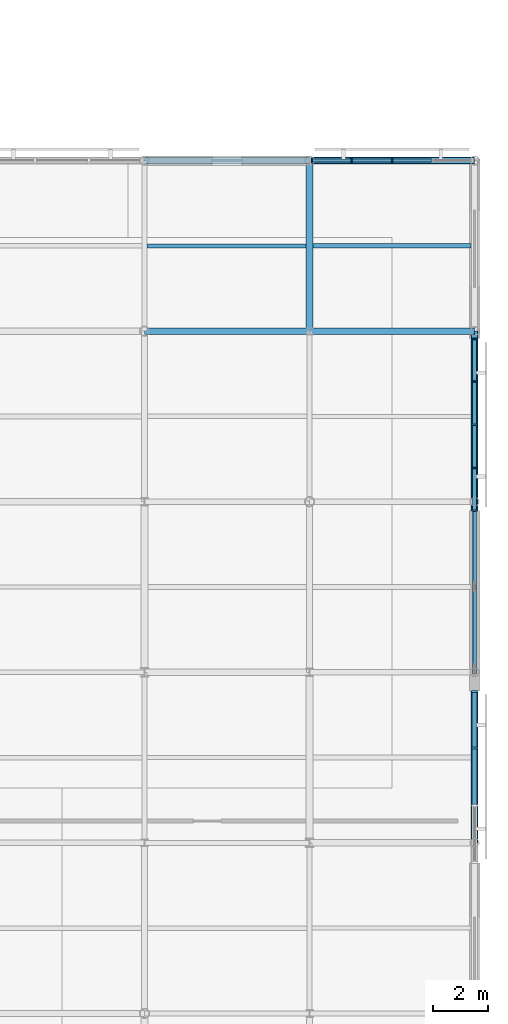
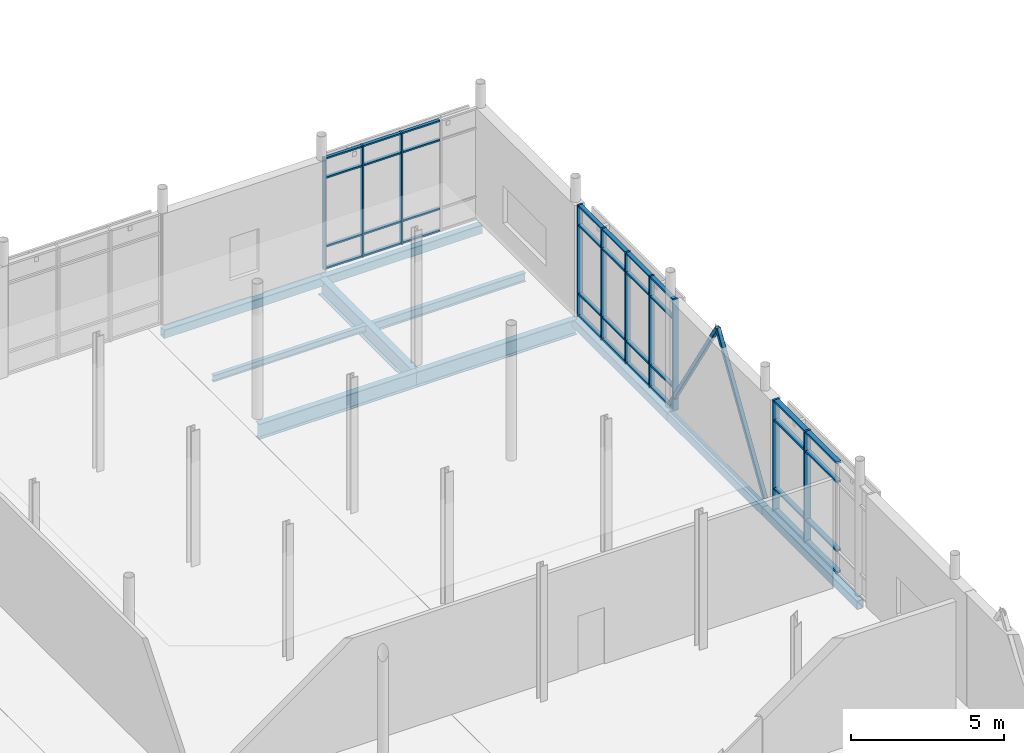
# One storey, part 51 of 105: 48 members, 10 beams, 3 elements without a shape of their own.
"""IFC4 building model written with IfcOpenShell, lengths in metres."""

import ifcopenshell
import ifcopenshell.guid

model = None  # the IFC model being written
_history = None  # IfcOwnerHistory: only IFC2X3 demands one
_inside = {}  # id of a spatial element -> (the spatial element, [elements in it])
_under = {}  # id of a project, library or spatial element -> (it, [spatial elements below it])
_declared = {}  # id of a project -> (the project, [libraries it declares])
_typed = {}  # id of a type object -> (the type object, [elements of that type])
_made_of = {}  # id of a material, layer set ... -> (it, [elements and type objects made of it])


def new_model(schema):
    """Start an empty IFC model of exactly this schema.

    Asked for "IFC4X3", IfcOpenShell would pick the latest addendum, in which some entities
    have other attributes; the version numbers below select the first issue.
    IFC2X3 requires an IfcOwnerHistory on every rooted entity: one is made here for all.
    """
    global model, _history
    if schema == "IFC4X3":
        model = ifcopenshell.file(schema_version=(4, 3, 0, 0))
    else:
        model = ifcopenshell.file(schema=schema)
    _inside.clear()
    _under.clear()
    _declared.clear()
    _typed.clear()
    _made_of.clear()
    _history = None
    if model.schema == "IFC2X3":
        org = make("IfcOrganization", Name="unknown")
        user = make(
            "IfcPersonAndOrganization",
            ThePerson=make("IfcPerson", FamilyName="unknown"),
            TheOrganization=org,
        )
        app = make(
            "IfcApplication",
            ApplicationDeveloper=org,
            Version="unknown",
            ApplicationFullName="unknown",
            ApplicationIdentifier="unknown",
        )
        _history = make(
            "IfcOwnerHistory",
            OwningUser=user,
            OwningApplication=app,
            ChangeAction="ADDED",
            CreationDate=0,
        )
    return model


def make(cls, **values):
    """One entity of the class cls with the attributes given. An attribute that is None is left unset."""
    return model.create_entity(
        cls, **{name: value for name, value in values.items() if value is not None}
    )


def rooted(cls, **values):
    """An entity with a GlobalId (a new one), such as an element, a storey or a relation."""
    return make(cls, GlobalId=ifcopenshell.guid.new(), OwnerHistory=_history, **values)


def si_unit(unit_type, name, prefix=None):
    """IfcSIUnit, for example si_unit("LENGTHUNIT", "METRE", prefix="MILLI")."""
    return make("IfcSIUnit", UnitType=unit_type, Prefix=prefix, Name=name)


def assignment(units):
    """IfcUnitAssignment: the units of a project."""
    return None if units is None else make("IfcUnitAssignment", Units=units)


def point(xyz):
    """IfcCartesianPoint."""
    return None if xyz is None else make("IfcCartesianPoint", Coordinates=xyz)


def direction(xyz):
    """IfcDirection."""
    return None if xyz is None else make("IfcDirection", DirectionRatios=xyz)


def frame(location, z_axis=None, x_axis=None):
    """IfcAxis2Placement3D, a coordinate frame: its origin and axes. An axis left out is left unset."""
    return make(
        "IfcAxis2Placement3D",
        Location=point(location),
        Axis=direction(z_axis),
        RefDirection=direction(x_axis),
    )


def frame_2d(location, x_axis=None):
    """IfcAxis2Placement2D, a coordinate frame in the plane: its origin and x axis."""
    return make(
        "IfcAxis2Placement2D", Location=point(location), RefDirection=direction(x_axis)
    )


def origin():
    """The frame at (0, 0, 0) with its axes left unset."""
    return frame((0.0, 0.0, 0.0))


def origin_2d():
    """The frame at (0, 0) in the plane with its x axis left unset."""
    return frame_2d((0.0, 0.0))


def place(relative_to, where):
    """IfcLocalPlacement: puts the frame where relative to a parent placement (None: the world)."""
    return make(
        "IfcLocalPlacement", PlacementRelTo=relative_to, RelativePlacement=where
    )


def context(
    kind, dimensions, precision=None, world=None, true_north=None, identifier=None
):
    """IfcGeometricRepresentationContext, for example the 3D "Model" context."""
    return make(
        "IfcGeometricRepresentationContext",
        ContextIdentifier=identifier,
        ContextType=kind,
        CoordinateSpaceDimension=dimensions,
        Precision=precision,
        WorldCoordinateSystem=world,
        TrueNorth=true_north,
    )


def subcontext(parent, identifier, kind, view, scale=None):
    """IfcGeometricRepresentationSubContext, for example "Body" below "Model"."""
    return make(
        "IfcGeometricRepresentationSubContext",
        ContextIdentifier=identifier,
        ContextType=kind,
        ParentContext=parent,
        TargetScale=scale,
        TargetView=view,
    )


def project(units=None, contexts=None):
    """IfcProject with its units and contexts."""
    return rooted(
        "IfcProject",
        Name="project",
        RepresentationContexts=contexts,
        UnitsInContext=assignment(units),
    )


def spatial(cls, under=None, at=None, **own):
    """A site, building, storey or space (cls), placed at a placement, below another one or the project."""
    s = rooted(cls, ObjectPlacement=at, **own)
    if under is not None:
        _under.setdefault(under.id(), (under, []))[1].append(s)
    return s


def profile(cls, at=None, kind="AREA", **sizes):
    """A parametric profile (cls). Its sizes go by their IFC names, for example OverallWidth=200.0."""
    return make(cls, ProfileType=kind, Position=at, **sizes)


def rectangle(**sizes):
    """IfcRectangleProfileDef."""
    return profile("IfcRectangleProfileDef", **sizes)


def hollow_rectangle(**sizes):
    """IfcRectangleHollowProfileDef."""
    return profile("IfcRectangleHollowProfileDef", **sizes)


def i_section(**sizes):
    """IfcIShapeProfileDef."""
    return profile("IfcIShapeProfileDef", **sizes)


def extrude(swept, where, along, depth):
    """IfcExtrudedAreaSolid: the profile swept, set in the frame where, extruded along a direction by depth."""
    return make(
        "IfcExtrudedAreaSolid",
        SweptArea=swept,
        Position=where,
        ExtrudedDirection=direction(along),
        Depth=depth,
    )


def shape(context_of_items, identifier, shape_type, items):
    """IfcShapeRepresentation: the items that make up one representation, for example the "Body"."""
    return make(
        "IfcShapeRepresentation",
        ContextOfItems=context_of_items,
        RepresentationIdentifier=identifier,
        RepresentationType=shape_type,
        Items=items,
    )


def material(Name=None, Category=None):
    """IfcMaterial."""
    return make("IfcMaterial", Name=Name, Category=Category)


def layer(
    of_material, thickness, ventilated=None, Name=None, Category=None, Priority=None
):
    """IfcMaterialLayer: one layer of a wall or slab, of a material (None: an air gap)."""
    return make(
        "IfcMaterialLayer",
        Material=of_material,
        LayerThickness=thickness,
        IsVentilated=ventilated,
        Name=Name,
        Category=Category,
        Priority=Priority,
    )


def layer_set(layers, Name=None):
    """IfcMaterialLayerSet."""
    return make("IfcMaterialLayerSet", MaterialLayers=layers, LayerSetName=Name)


def material_profile(
    of_material, cross_section, Name=None, Category=None, Priority=None
):
    """IfcMaterialProfile: a cross section and its material."""
    return make(
        "IfcMaterialProfile",
        Name=Name,
        Material=of_material,
        Profile=cross_section,
        Priority=Priority,
        Category=Category,
    )


def profile_set(profiles, Name=None, composite=None):
    """IfcMaterialProfileSet."""
    return make(
        "IfcMaterialProfileSet",
        Name=Name,
        MaterialProfiles=profiles,
        CompositeProfile=composite,
    )


def made_of(thing, what):
    """Note that an element or type object is made of a material, layer set ...; save() writes the relation."""
    if what is not None:
        _made_of.setdefault(what.id(), (what, []))[1].append(thing)
    return thing


def type_object(cls, material=None, **own):
    """A type object (cls), such as IfcWallType, which elements share."""
    return made_of(rooted(cls, **own), material)


def element(
    cls,
    number,
    at=None,
    inside=None,
    cuts=None,
    type_object=None,
    material=None,
    context=None,
    identifier="Body",
    shape_type=None,
    held_by="IfcProductDefinitionShape",
    body=None,
    shapes=None,
    **own,
):
    """One element of the class cls, such as IfcWall. Its Tag is "e" and its number.

    at: its placement. inside: the storey or other place that contains it. cuts: it is an
    opening in that element (IfcRelVoidsElement). A single representation is given by context,
    identifier, shape_type and body (its items); several are given by shapes. held_by: the class
    of the entity that holds the representations. save() writes the other relations.
    """
    e = rooted(cls, Tag="e%d" % number, ObjectPlacement=at, **own)
    if body is not None:
        shapes = [shape(context, identifier, shape_type, body)]
    if shapes is not None:
        e.Representation = make(held_by, Representations=shapes)
    if inside is not None:
        _inside.setdefault(inside.id(), (inside, []))[1].append(e)
    if cuts is not None:
        rooted(
            "IfcRelVoidsElement", RelatingBuildingElement=cuts, RelatedOpeningElement=e
        )
    if type_object is not None:
        _typed.setdefault(type_object.id(), (type_object, []))[1].append(e)
    return made_of(e, material)


def aggregate(whole, parts):
    """IfcRelAggregates: a whole, such as a stair, and the parts it consists of."""
    return rooted("IfcRelAggregates", RelatingObject=whole, RelatedObjects=parts)


def save(model, path):
    """Write the relations noted so far, then the file.

    IfcRelAggregates (storeys below a building ...), IfcRelContainedInSpatialStructure (elements
    in a storey), IfcRelDefinesByType, IfcRelAssociatesMaterial and IfcRelDeclares: one each for
    every whole, place, type object, material and project.
    """
    for whole, parts in _under.values():
        aggregate(whole, parts)
    for where, things in _inside.values():
        rooted(
            "IfcRelContainedInSpatialStructure",
            RelatedElements=things,
            RelatingStructure=where,
        )
    for kind, things in _typed.values():
        rooted("IfcRelDefinesByType", RelatedObjects=things, RelatingType=kind)
    for what, things in _made_of.values():
        rooted("IfcRelAssociatesMaterial", RelatedObjects=things, RelatingMaterial=what)
    for by, libraries in _declared.values():
        rooted("IfcRelDeclares", RelatingContext=by, RelatedDefinitions=libraries)
    model.write(path)


model = new_model("IFC4")

# Units and contexts
model_context = context("Model", 3, precision=1e-05, world=origin(), true_north=direction((0.0, 1.0)))
body_context = subcontext(model_context, "Body", "Model", "MODEL_VIEW")
ifc_project = project(units=[si_unit("LENGTHUNIT", "METRE"), si_unit("AREAUNIT", "SQUARE_METRE"), si_unit("VOLUMEUNIT", "CUBIC_METRE"), si_unit("PLANEANGLEUNIT", "RADIAN"), si_unit("MASSUNIT", "GRAM", prefix="KILO")], contexts=[model_context])

# Site, building, storey
site_placement = place(None, origin())
site = spatial("IfcSite", under=ifc_project, at=site_placement, CompositionType="ELEMENT")
building_placement = place(site_placement, origin())
building = spatial("IfcBuilding", under=site, at=building_placement, Name="Mirzam Square Science Centre", CompositionType="ELEMENT")
storey_placement = place(building_placement, frame((0.0, 0.0, 5.39990234375)))
storey = spatial("IfcBuildingStorey", under=building, at=storey_placement, Name="L01", CompositionType="ELEMENT", Elevation=5.39990234375)

# Beams
ifc_material_1 = material(Name="Steel S355", Category="steel")
ifc_material_profile_1 = material_profile(ifc_material_1, i_section(OverallWidth=0.22900390625, OverallDepth=0.6123046875, WebThickness=0.011962890625, FlangeThickness=0.01953125, FilletRadius=0.0126953125, at=origin_2d()), Name="610x229x125UB")
ifc_profile_set_1 = profile_set([ifc_material_profile_1], Name="Steel S355")
beam_type_1 = type_object("IfcBeamType", Name="BM-UB610", PredefinedType="BEAM", material=ifc_profile_set_1)
for number, where, z_axis, x_axis, name in (
    (1, (150.0, 80.60009765625, -0.555908203125), (1.0, 0.0, 0.0), (0.0, 1.0, 0.0), "L01 girder X26-14"),
    (2, (156.0, 80.60009765625, -0.555908203125), (1.0, 0.0, 0.0), (0.0, 1.0, 0.0), "L01 girder X27-14"),
):
    element("IfcBeam", number, at=place(storey_placement, frame(where, z_axis=z_axis, x_axis=x_axis)), inside=storey, type_object=beam_type_1, Name=name, PredefinedType="BEAM", context=body_context, shape_type="SweptSolid", body=[
        extrude(i_section(OverallWidth=0.22900390625, OverallDepth=0.6123046875, WebThickness=0.011962890625, FlangeThickness=0.01953125, FilletRadius=0.0126953125, at=origin_2d()), origin(), (0.0, 0.0, 1.0), 6.0),
    ])
ifc_material_profile_2 = material_profile(ifc_material_1, i_section(OverallWidth=0.25439453125, OverallDepth=0.6875, WebThickness=0.01318359375, FlangeThickness=0.02099609375, FilletRadius=0.01513671875, at=origin_2d()), Name="686x254x152UB")
ifc_profile_set_2 = profile_set([ifc_material_profile_2], Name="Steel S355")
beam_type_2 = type_object("IfcBeamType", Name="BM-UB686", PredefinedType="BEAM", material=ifc_profile_set_2)
beam_1_placement = place(storey_placement, frame((156.0, 80.60009765625, -0.593505859375), z_axis=(0.0, 1.0, 0.0), x_axis=(-1.0, 0.0, 0.0)))
element("IfcBeam", 3, at=beam_1_placement, inside=storey, type_object=beam_type_2, Name="L01 girder Y27-14", PredefinedType="BEAM", context=body_context, shape_type="SweptSolid", body=[
    extrude(i_section(OverallWidth=0.25439453125, OverallDepth=0.6875, WebThickness=0.01318359375, FlangeThickness=0.02099609375, FilletRadius=0.01513671875, at=origin_2d()), origin(), (0.0, 0.0, 1.0), 6.199951171875),
])

# Members
ifc_material_profile_3 = material_profile(ifc_material_1, hollow_rectangle(XDim=0.14990234375, YDim=0.14990234375, WallThickness=0.008056640625, InnerFilletRadius=0.008056640625, OuterFilletRadius=0.01611328125, at=origin_2d()), Name="150x150x8.0SHS")
ifc_profile_set_3 = profile_set([ifc_material_profile_3], Name="Steel S355")
member_type_1 = type_object("IfcMemberType", Name="BR-SHS150", PredefinedType="BRACE", material=ifc_profile_set_3)
member_1_placement = place(storey_placement, frame((162.0, 68.199951171875, 0.050048828125), z_axis=(0.0, 0.532707561114, 0.84629938812), x_axis=(-1.0, 0.0, 0.0)))
element("IfcMember", 4, at=member_1_placement, inside=storey, type_object=member_type_1, Name="L01 chevron brace 5A", PredefinedType="BRACE", context=body_context, shape_type="SweptSolid", body=[
    extrude(hollow_rectangle(XDim=0.14990234375, YDim=0.14990234375, WallThickness=0.008056640625, InnerFilletRadius=0.008056640625, OuterFilletRadius=0.01611328125, at=origin_2d()), origin(), (0.0, 0.0, 1.0), 5.819580078125),
])
member_2_placement = place(storey_placement, frame((162.0, 74.39990234375, 0.050048828125), z_axis=(0.0, -0.532677513074, 0.846318301271), x_axis=(1.0, 0.0, 0.0)))
element("IfcMember", 5, at=member_2_placement, inside=storey, type_object=member_type_1, Name="L01 chevron brace 5B", PredefinedType="BRACE", context=body_context, shape_type="SweptSolid", body=[
    extrude(hollow_rectangle(XDim=0.14990234375, YDim=0.14990234375, WallThickness=0.008056640625, InnerFilletRadius=0.008056640625, OuterFilletRadius=0.01611328125, at=origin_2d()), origin(), (0.0, 0.0, 1.0), 5.8193359375),
])

# Curtain wall, members
ifc_material_2 = material(Name="Anodised Aluminium and Low-E Solar Glass", Category="aluminium")
ifc_layer_1 = layer(ifc_material_2, 0.159912109375)
ifc_layer_set_1 = layer_set([ifc_layer_1], Name="CW-COURT-B")
curtain_wall_type_1 = type_object("IfcCurtainWallType", Name="CW-COURT-B", PredefinedType="USERDEFINED", material=ifc_layer_set_1)
curtain_wall_1_placement = place(storey_placement, origin())
curtain_wall_1 = element("IfcCurtainWall", 6, at=curtain_wall_1_placement, inside=storey, type_object=curtain_wall_type_1, Name="L01 unitised curtain wall 87", ObjectType="UNITISED CURTAIN WALL", PredefinedType="USERDEFINED")
ifc_material_3 = material(Name="Anodised Architectural Aluminium 6063-T6", Category="aluminium")
ifc_material_profile_4 = material_profile(ifc_material_3, rectangle(XDim=0.06005859375, YDim=0.159912109375, at=origin_2d()), Name="ALU-MULL-160x60x4")
ifc_profile_set_4 = profile_set([ifc_material_profile_4], Name="Anodised Architectural Aluminium 6063-T6")
member_type_2 = type_object("IfcMemberType", Name="CWM-160", PredefinedType="MULLION", material=ifc_profile_set_4)
member_3_placement = place(storey_placement, frame((159.0, 86.800048828125, 0.0), z_axis=(0.0, 0.0, 1.0), x_axis=(-1.0, 0.0, 0.0)))
member_3 = element("IfcMember", 7, at=member_3_placement, type_object=member_type_2, Name="CW-04 mullion 3", PredefinedType="MULLION", context=body_context, shape_type="SweptSolid", body=[
    extrude(rectangle(XDim=0.06005859375, YDim=0.159912109375, at=origin_2d()), origin(), (0.0, 0.0, 1.0), 4.440185546875),
])
member_4_placement = place(storey_placement, frame((157.527587890625, 86.800048828125, 0.0), z_axis=(0.0, 0.0, 1.0), x_axis=(-1.0, 0.0, 0.0)))
member_4 = element("IfcMember", 8, at=member_4_placement, type_object=member_type_2, Name="CW-04 mullion 4", PredefinedType="MULLION", context=body_context, shape_type="SweptSolid", body=[
    extrude(rectangle(XDim=0.06005859375, YDim=0.159912109375, at=origin_2d()), origin(), (0.0, 0.0, 1.0), 4.440185546875),
])
member_5_placement = place(storey_placement, frame((156.0849609375, 86.800048828125, 0.0), z_axis=(0.0, 0.0, 1.0), x_axis=(-1.0, 0.0, 0.0)))
member_5 = element("IfcMember", 9, at=member_5_placement, type_object=member_type_2, Name="CW-04 mullion 5", PredefinedType="MULLION", context=body_context, shape_type="SweptSolid", body=[
    extrude(rectangle(XDim=0.06005859375, YDim=0.159912109375, at=origin_2d()), origin(), (0.0, 0.0, 1.0), 4.440185546875),
])

ifc_layer_2 = layer(ifc_material_2, 0.179931640625)
ifc_layer_set_2 = layer_set([ifc_layer_2], Name="CW-LINK-A")
curtain_wall_type_2 = type_object("IfcCurtainWallType", Name="CW-LINK-A", PredefinedType="USERDEFINED", material=ifc_layer_set_2)
curtain_wall_2_placement = place(storey_placement, origin())
curtain_wall_2 = element("IfcCurtainWall", 10, at=curtain_wall_2_placement, inside=storey, type_object=curtain_wall_type_2, Name="L01 unitised curtain wall 86", ObjectType="UNITISED CURTAIN WALL", PredefinedType="USERDEFINED")
ifc_material_profile_5 = material_profile(ifc_material_3, rectangle(XDim=0.06494140625, YDim=0.199951171875, at=origin_2d()), Name="ALU-MULL-200x65x5")
ifc_profile_set_5 = profile_set([ifc_material_profile_5], Name="Anodised Architectural Aluminium 6063-T6")
member_type_3 = type_object("IfcMemberType", Name="CWM-200", PredefinedType="MULLION", material=ifc_profile_set_5)
member_6_placement = place(storey_placement, frame((162.0, 74.08740234375, 0.0), z_axis=(0.0, 0.0, 1.0), x_axis=(0.0, 1.0, 0.0)))
member_6 = element("IfcMember", 11, at=member_6_placement, type_object=member_type_3, Name="CW-08 mullion 1", PredefinedType="MULLION", context=body_context, shape_type="SweptSolid", body=[
    extrude(rectangle(XDim=0.06494140625, YDim=0.199951171875, at=origin_2d()), origin(), (0.0, 0.0, 1.0), 4.440185546875),
])
member_7_placement = place(storey_placement, frame((162.0, 75.62744140625, 0.0), z_axis=(0.0, 0.0, 1.0), x_axis=(0.0, 1.0, 0.0)))
member_7 = element("IfcMember", 12, at=member_7_placement, type_object=member_type_3, Name="CW-08 mullion 2", PredefinedType="MULLION", context=body_context, shape_type="SweptSolid", body=[
    extrude(rectangle(XDim=0.06494140625, YDim=0.199951171875, at=origin_2d()), origin(), (0.0, 0.0, 1.0), 4.440185546875),
])
member_8_placement = place(storey_placement, frame((162.0, 77.199951171875, 0.0), z_axis=(0.0, 0.0, 1.0), x_axis=(0.0, 1.0, 0.0)))
member_8 = element("IfcMember", 13, at=member_8_placement, type_object=member_type_3, Name="CW-08 mullion 3", PredefinedType="MULLION", context=body_context, shape_type="SweptSolid", body=[
    extrude(rectangle(XDim=0.06494140625, YDim=0.199951171875, at=origin_2d()), origin(), (0.0, 0.0, 1.0), 4.440185546875),
])
member_9_placement = place(storey_placement, frame((162.0, 78.7724609375, 0.0), z_axis=(0.0, 0.0, 1.0), x_axis=(0.0, 1.0, 0.0)))
member_9 = element("IfcMember", 14, at=member_9_placement, type_object=member_type_3, Name="CW-08 mullion 4", PredefinedType="MULLION", context=body_context, shape_type="SweptSolid", body=[
    extrude(rectangle(XDim=0.06494140625, YDim=0.199951171875, at=origin_2d()), origin(), (0.0, 0.0, 1.0), 4.440185546875),
])
member_10_placement = place(storey_placement, frame((162.0, 80.3125, 0.0), z_axis=(0.0, 0.0, 1.0), x_axis=(0.0, 1.0, 0.0)))
member_10 = element("IfcMember", 15, at=member_10_placement, type_object=member_type_3, Name="CW-08 mullion 5", PredefinedType="MULLION", context=body_context, shape_type="SweptSolid", body=[
    extrude(rectangle(XDim=0.06494140625, YDim=0.199951171875, at=origin_2d()), origin(), (0.0, 0.0, 1.0), 4.440185546875),
])

ifc_layer_3 = layer(ifc_material_2, 0.239990234375)
ifc_layer_set_3 = layer_set([ifc_layer_3], Name="CW-EAST-B")
curtain_wall_type_3 = type_object("IfcCurtainWallType", Name="CW-EAST-B", PredefinedType="USERDEFINED", material=ifc_layer_set_3)
curtain_wall_3_placement = place(storey_placement, origin())
curtain_wall_3 = element("IfcCurtainWall", 16, at=curtain_wall_3_placement, inside=storey, type_object=curtain_wall_type_3, Name="L01 unitised curtain wall 85", ObjectType="UNITISED CURTAIN WALL", PredefinedType="USERDEFINED")
ifc_material_profile_6 = material_profile(ifc_material_3, rectangle(XDim=0.074951171875, YDim=0.239990234375, at=origin_2d()), Name="ALU-MULL-240x75x5")
ifc_profile_set_6 = profile_set([ifc_material_profile_6], Name="Anodised Architectural Aluminium 6063-T6")
member_type_4 = type_object("IfcMemberType", Name="CWM-240", PredefinedType="MULLION", material=ifc_profile_set_6)
member_11_placement = place(storey_placement, frame((162.0, 65.4482421875, 0.0), z_axis=(0.0, 0.0, 1.0), x_axis=(0.0, 1.0, 0.0)))
member_11 = element("IfcMember", 17, at=member_11_placement, type_object=member_type_4, Name="CW-06 mullion 3", PredefinedType="MULLION", context=body_context, shape_type="SweptSolid", body=[
    extrude(rectangle(XDim=0.074951171875, YDim=0.239990234375, at=origin_2d()), origin(), (0.0, 0.0, 1.0), 4.440185546875),
])
member_12_placement = place(storey_placement, frame((162.0, 67.507568359375, 0.0), z_axis=(0.0, 0.0, 1.0), x_axis=(0.0, 1.0, 0.0)))
member_12 = element("IfcMember", 18, at=member_12_placement, type_object=member_type_4, Name="CW-06 mullion 4", PredefinedType="MULLION", context=body_context, shape_type="SweptSolid", body=[
    extrude(rectangle(XDim=0.074951171875, YDim=0.239990234375, at=origin_2d()), origin(), (0.0, 0.0, 1.0), 4.440185546875),
])

# Member
ifc_material_profile_7 = material_profile(ifc_material_3, rectangle(XDim=0.1201171875, YDim=0.06005859375, at=origin_2d()), Name="ALU-TRAN-120x60x4")
ifc_profile_set_7 = profile_set([ifc_material_profile_7], Name="Anodised Architectural Aluminium 6063-T6")
member_type_5 = type_object("IfcMemberType", Name="CWT-120", PredefinedType="USERDEFINED", material=ifc_profile_set_7)
member_13_placement = place(storey_placement, frame((160.4423828125, 86.800048828125, 0.030029296875), z_axis=(-1.0, 0.0, 0.0), x_axis=(0.0, -1.0, 0.0)))
member_13 = element("IfcMember", 19, at=member_13_placement, type_object=member_type_5, Name="CW-04 transom 2.1", ObjectType="TRANSOM", PredefinedType="USERDEFINED", context=body_context, shape_type="SweptSolid", body=[
    extrude(rectangle(XDim=0.1201171875, YDim=0.06005859375, at=origin_2d()), origin(), (0.0, 0.0, 1.0), 1.412353515625),
])

member_14_placement = place(storey_placement, frame((160.4423828125, 86.800048828125, 0.900146484375), z_axis=(-1.0, 0.0, 0.0), x_axis=(0.0, -1.0, 0.0)))
member_14 = element("IfcMember", 20, at=member_14_placement, type_object=member_type_5, Name="CW-04 transom 2.2", ObjectType="TRANSOM", PredefinedType="USERDEFINED", context=body_context, shape_type="SweptSolid", body=[
    extrude(rectangle(XDim=0.1201171875, YDim=0.06005859375, at=origin_2d()), origin(), (0.0, 0.0, 1.0), 1.412353515625),
])

member_15_placement = place(storey_placement, frame((160.4423828125, 86.800048828125, 3.64013671875), z_axis=(-1.0, 0.0, 0.0), x_axis=(0.0, -1.0, 0.0)))
member_15 = element("IfcMember", 21, at=member_15_placement, type_object=member_type_5, Name="CW-04 transom 2.3", ObjectType="TRANSOM", PredefinedType="USERDEFINED", context=body_context, shape_type="SweptSolid", body=[
    extrude(rectangle(XDim=0.1201171875, YDim=0.06005859375, at=origin_2d()), origin(), (0.0, 0.0, 1.0), 1.412353515625),
])

member_16_placement = place(storey_placement, frame((160.4423828125, 86.800048828125, 4.41015625), z_axis=(-1.0, 0.0, 0.0), x_axis=(0.0, -1.0, 0.0)))
member_16 = element("IfcMember", 22, at=member_16_placement, type_object=member_type_5, Name="CW-04 transom 2.4", ObjectType="TRANSOM", PredefinedType="USERDEFINED", context=body_context, shape_type="SweptSolid", body=[
    extrude(rectangle(XDim=0.1201171875, YDim=0.06005859375, at=origin_2d()), origin(), (0.0, 0.0, 1.0), 1.412353515625),
])

member_17_placement = place(storey_placement, frame((158.969970703125, 86.800048828125, 0.030029296875), z_axis=(-1.0, 0.0, 0.0), x_axis=(0.0, -1.0, 0.0)))
member_17 = element("IfcMember", 23, at=member_17_placement, type_object=member_type_5, Name="CW-04 transom 3.1", ObjectType="TRANSOM", PredefinedType="USERDEFINED", context=body_context, shape_type="SweptSolid", body=[
    extrude(rectangle(XDim=0.1201171875, YDim=0.06005859375, at=origin_2d()), origin(), (0.0, 0.0, 1.0), 1.412353515625),
])

member_18_placement = place(storey_placement, frame((158.969970703125, 86.800048828125, 0.900146484375), z_axis=(-1.0, 0.0, 0.0), x_axis=(0.0, -1.0, 0.0)))
member_18 = element("IfcMember", 24, at=member_18_placement, type_object=member_type_5, Name="CW-04 transom 3.2", ObjectType="TRANSOM", PredefinedType="USERDEFINED", context=body_context, shape_type="SweptSolid", body=[
    extrude(rectangle(XDim=0.1201171875, YDim=0.06005859375, at=origin_2d()), origin(), (0.0, 0.0, 1.0), 1.412353515625),
])

member_19_placement = place(storey_placement, frame((158.969970703125, 86.800048828125, 3.64013671875), z_axis=(-1.0, 0.0, 0.0), x_axis=(0.0, -1.0, 0.0)))
member_19 = element("IfcMember", 25, at=member_19_placement, type_object=member_type_5, Name="CW-04 transom 3.3", ObjectType="TRANSOM", PredefinedType="USERDEFINED", context=body_context, shape_type="SweptSolid", body=[
    extrude(rectangle(XDim=0.1201171875, YDim=0.06005859375, at=origin_2d()), origin(), (0.0, 0.0, 1.0), 1.412353515625),
])

member_20_placement = place(storey_placement, frame((158.969970703125, 86.800048828125, 4.41015625), z_axis=(-1.0, 0.0, 0.0), x_axis=(0.0, -1.0, 0.0)))
member_20 = element("IfcMember", 26, at=member_20_placement, type_object=member_type_5, Name="CW-04 transom 3.4", ObjectType="TRANSOM", PredefinedType="USERDEFINED", context=body_context, shape_type="SweptSolid", body=[
    extrude(rectangle(XDim=0.1201171875, YDim=0.06005859375, at=origin_2d()), origin(), (0.0, 0.0, 1.0), 1.412353515625),
])

member_21_placement = place(storey_placement, frame((157.49755859375, 86.800048828125, 0.030029296875), z_axis=(-1.0, 0.0, 0.0), x_axis=(0.0, -1.0, 0.0)))
member_21 = element("IfcMember", 27, at=member_21_placement, type_object=member_type_5, Name="CW-04 transom 4.1", ObjectType="TRANSOM", PredefinedType="USERDEFINED", context=body_context, shape_type="SweptSolid", body=[
    extrude(rectangle(XDim=0.1201171875, YDim=0.06005859375, at=origin_2d()), origin(), (0.0, 0.0, 1.0), 1.382568359375),
])

member_22_placement = place(storey_placement, frame((157.49755859375, 86.800048828125, 0.900146484375), z_axis=(-1.0, 0.0, 0.0), x_axis=(0.0, -1.0, 0.0)))
member_22 = element("IfcMember", 28, at=member_22_placement, type_object=member_type_5, Name="CW-04 transom 4.2", ObjectType="TRANSOM", PredefinedType="USERDEFINED", context=body_context, shape_type="SweptSolid", body=[
    extrude(rectangle(XDim=0.1201171875, YDim=0.06005859375, at=origin_2d()), origin(), (0.0, 0.0, 1.0), 1.382568359375),
])

member_23_placement = place(storey_placement, frame((157.49755859375, 86.800048828125, 3.64013671875), z_axis=(-1.0, 0.0, 0.0), x_axis=(0.0, -1.0, 0.0)))
member_23 = element("IfcMember", 29, at=member_23_placement, type_object=member_type_5, Name="CW-04 transom 4.3", ObjectType="TRANSOM", PredefinedType="USERDEFINED", context=body_context, shape_type="SweptSolid", body=[
    extrude(rectangle(XDim=0.1201171875, YDim=0.06005859375, at=origin_2d()), origin(), (0.0, 0.0, 1.0), 1.382568359375),
])

member_24_placement = place(storey_placement, frame((157.49755859375, 86.800048828125, 4.41015625), z_axis=(-1.0, 0.0, 0.0), x_axis=(0.0, -1.0, 0.0)))
member_24 = element("IfcMember", 30, at=member_24_placement, type_object=member_type_5, Name="CW-04 transom 4.4", ObjectType="TRANSOM", PredefinedType="USERDEFINED", context=body_context, shape_type="SweptSolid", body=[
    extrude(rectangle(XDim=0.1201171875, YDim=0.06005859375, at=origin_2d()), origin(), (0.0, 0.0, 1.0), 1.382568359375),
])

aggregate(curtain_wall_1, [member_3, member_4, member_5, member_13, member_14, member_15, member_16, member_17, member_18, member_19, member_20, member_21, member_22, member_23, member_24])

ifc_material_profile_8 = material_profile(ifc_material_3, rectangle(XDim=0.14990234375, YDim=0.06494140625, at=origin_2d()), Name="ALU-TRAN-150x65x4")
ifc_profile_set_8 = profile_set([ifc_material_profile_8], Name="Anodised Architectural Aluminium 6063-T6")
member_type_6 = type_object("IfcMemberType", Name="CWT-150", PredefinedType="USERDEFINED", material=ifc_profile_set_8)
member_25_placement = place(storey_placement, frame((162.0, 74.1201171875, 0.03271484375), z_axis=(0.0, 1.0, 0.0), x_axis=(-1.0, 0.0, 0.0)))
member_25 = element("IfcMember", 31, at=member_25_placement, type_object=member_type_6, Name="CW-08 transom 1.1", ObjectType="TRANSOM", PredefinedType="USERDEFINED", context=body_context, shape_type="SweptSolid", body=[
    extrude(rectangle(XDim=0.14990234375, YDim=0.06494140625, at=origin_2d()), origin(), (0.0, 0.0, 1.0), 1.474853515625),
])

member_26_placement = place(storey_placement, frame((162.0, 74.1201171875, 0.900146484375), z_axis=(0.0, 1.0, 0.0), x_axis=(-1.0, 0.0, 0.0)))
member_26 = element("IfcMember", 32, at=member_26_placement, type_object=member_type_6, Name="CW-08 transom 1.2", ObjectType="TRANSOM", PredefinedType="USERDEFINED", context=body_context, shape_type="SweptSolid", body=[
    extrude(rectangle(XDim=0.14990234375, YDim=0.06494140625, at=origin_2d()), origin(), (0.0, 0.0, 1.0), 1.474853515625),
])

member_27_placement = place(storey_placement, frame((162.0, 74.1201171875, 3.64013671875), z_axis=(0.0, 1.0, 0.0), x_axis=(-1.0, 0.0, 0.0)))
member_27 = element("IfcMember", 33, at=member_27_placement, type_object=member_type_6, Name="CW-08 transom 1.3", ObjectType="TRANSOM", PredefinedType="USERDEFINED", context=body_context, shape_type="SweptSolid", body=[
    extrude(rectangle(XDim=0.14990234375, YDim=0.06494140625, at=origin_2d()), origin(), (0.0, 0.0, 1.0), 1.474853515625),
])

member_28_placement = place(storey_placement, frame((162.0, 74.1201171875, 4.40771484375), z_axis=(0.0, 1.0, 0.0), x_axis=(-1.0, 0.0, 0.0)))
member_28 = element("IfcMember", 34, at=member_28_placement, type_object=member_type_6, Name="CW-08 transom 1.4", ObjectType="TRANSOM", PredefinedType="USERDEFINED", context=body_context, shape_type="SweptSolid", body=[
    extrude(rectangle(XDim=0.14990234375, YDim=0.06494140625, at=origin_2d()), origin(), (0.0, 0.0, 1.0), 1.474853515625),
])

member_29_placement = place(storey_placement, frame((162.0, 75.659912109375, 0.03271484375), z_axis=(0.0, 1.0, 0.0), x_axis=(-1.0, 0.0, 0.0)))
member_29 = element("IfcMember", 35, at=member_29_placement, type_object=member_type_6, Name="CW-08 transom 2.1", ObjectType="TRANSOM", PredefinedType="USERDEFINED", context=body_context, shape_type="SweptSolid", body=[
    extrude(rectangle(XDim=0.14990234375, YDim=0.06494140625, at=origin_2d()), origin(), (0.0, 0.0, 1.0), 1.507568359375),
])

member_30_placement = place(storey_placement, frame((162.0, 75.659912109375, 0.900146484375), z_axis=(0.0, 1.0, 0.0), x_axis=(-1.0, 0.0, 0.0)))
member_30 = element("IfcMember", 36, at=member_30_placement, type_object=member_type_6, Name="CW-08 transom 2.2", ObjectType="TRANSOM", PredefinedType="USERDEFINED", context=body_context, shape_type="SweptSolid", body=[
    extrude(rectangle(XDim=0.14990234375, YDim=0.06494140625, at=origin_2d()), origin(), (0.0, 0.0, 1.0), 1.507568359375),
])

member_31_placement = place(storey_placement, frame((162.0, 75.659912109375, 3.64013671875), z_axis=(0.0, 1.0, 0.0), x_axis=(-1.0, 0.0, 0.0)))
member_31 = element("IfcMember", 37, at=member_31_placement, type_object=member_type_6, Name="CW-08 transom 2.3", ObjectType="TRANSOM", PredefinedType="USERDEFINED", context=body_context, shape_type="SweptSolid", body=[
    extrude(rectangle(XDim=0.14990234375, YDim=0.06494140625, at=origin_2d()), origin(), (0.0, 0.0, 1.0), 1.507568359375),
])

member_32_placement = place(storey_placement, frame((162.0, 75.659912109375, 4.40771484375), z_axis=(0.0, 1.0, 0.0), x_axis=(-1.0, 0.0, 0.0)))
member_32 = element("IfcMember", 38, at=member_32_placement, type_object=member_type_6, Name="CW-08 transom 2.4", ObjectType="TRANSOM", PredefinedType="USERDEFINED", context=body_context, shape_type="SweptSolid", body=[
    extrude(rectangle(XDim=0.14990234375, YDim=0.06494140625, at=origin_2d()), origin(), (0.0, 0.0, 1.0), 1.507568359375),
])

member_33_placement = place(storey_placement, frame((162.0, 77.232421875, 0.03271484375), z_axis=(0.0, 1.0, 0.0), x_axis=(-1.0, 0.0, 0.0)))
member_33 = element("IfcMember", 39, at=member_33_placement, type_object=member_type_6, Name="CW-08 transom 3.1", ObjectType="TRANSOM", PredefinedType="USERDEFINED", context=body_context, shape_type="SweptSolid", body=[
    extrude(rectangle(XDim=0.14990234375, YDim=0.06494140625, at=origin_2d()), origin(), (0.0, 0.0, 1.0), 1.507568359375),
])

member_34_placement = place(storey_placement, frame((162.0, 77.232421875, 0.900146484375), z_axis=(0.0, 1.0, 0.0), x_axis=(-1.0, 0.0, 0.0)))
member_34 = element("IfcMember", 40, at=member_34_placement, type_object=member_type_6, Name="CW-08 transom 3.2", ObjectType="TRANSOM", PredefinedType="USERDEFINED", context=body_context, shape_type="SweptSolid", body=[
    extrude(rectangle(XDim=0.14990234375, YDim=0.06494140625, at=origin_2d()), origin(), (0.0, 0.0, 1.0), 1.507568359375),
])

member_35_placement = place(storey_placement, frame((162.0, 77.232421875, 3.64013671875), z_axis=(0.0, 1.0, 0.0), x_axis=(-1.0, 0.0, 0.0)))
member_35 = element("IfcMember", 41, at=member_35_placement, type_object=member_type_6, Name="CW-08 transom 3.3", ObjectType="TRANSOM", PredefinedType="USERDEFINED", context=body_context, shape_type="SweptSolid", body=[
    extrude(rectangle(XDim=0.14990234375, YDim=0.06494140625, at=origin_2d()), origin(), (0.0, 0.0, 1.0), 1.507568359375),
])

member_36_placement = place(storey_placement, frame((162.0, 77.232421875, 4.40771484375), z_axis=(0.0, 1.0, 0.0), x_axis=(-1.0, 0.0, 0.0)))
member_36 = element("IfcMember", 42, at=member_36_placement, type_object=member_type_6, Name="CW-08 transom 3.4", ObjectType="TRANSOM", PredefinedType="USERDEFINED", context=body_context, shape_type="SweptSolid", body=[
    extrude(rectangle(XDim=0.14990234375, YDim=0.06494140625, at=origin_2d()), origin(), (0.0, 0.0, 1.0), 1.507568359375),
])

member_37_placement = place(storey_placement, frame((162.0, 78.804931640625, 0.03271484375), z_axis=(0.0, 1.0, 0.0), x_axis=(-1.0, 0.0, 0.0)))
member_37 = element("IfcMember", 43, at=member_37_placement, type_object=member_type_6, Name="CW-08 transom 4.1", ObjectType="TRANSOM", PredefinedType="USERDEFINED", context=body_context, shape_type="SweptSolid", body=[
    extrude(rectangle(XDim=0.14990234375, YDim=0.06494140625, at=origin_2d()), origin(), (0.0, 0.0, 1.0), 1.47509765625),
])

member_38_placement = place(storey_placement, frame((162.0, 78.804931640625, 0.900146484375), z_axis=(0.0, 1.0, 0.0), x_axis=(-1.0, 0.0, 0.0)))
member_38 = element("IfcMember", 44, at=member_38_placement, type_object=member_type_6, Name="CW-08 transom 4.2", ObjectType="TRANSOM", PredefinedType="USERDEFINED", context=body_context, shape_type="SweptSolid", body=[
    extrude(rectangle(XDim=0.14990234375, YDim=0.06494140625, at=origin_2d()), origin(), (0.0, 0.0, 1.0), 1.47509765625),
])

member_39_placement = place(storey_placement, frame((162.0, 78.804931640625, 3.64013671875), z_axis=(0.0, 1.0, 0.0), x_axis=(-1.0, 0.0, 0.0)))
member_39 = element("IfcMember", 45, at=member_39_placement, type_object=member_type_6, Name="CW-08 transom 4.3", ObjectType="TRANSOM", PredefinedType="USERDEFINED", context=body_context, shape_type="SweptSolid", body=[
    extrude(rectangle(XDim=0.14990234375, YDim=0.06494140625, at=origin_2d()), origin(), (0.0, 0.0, 1.0), 1.47509765625),
])

member_40_placement = place(storey_placement, frame((162.0, 78.804931640625, 4.40771484375), z_axis=(0.0, 1.0, 0.0), x_axis=(-1.0, 0.0, 0.0)))
member_40 = element("IfcMember", 46, at=member_40_placement, type_object=member_type_6, Name="CW-08 transom 4.4", ObjectType="TRANSOM", PredefinedType="USERDEFINED", context=body_context, shape_type="SweptSolid", body=[
    extrude(rectangle(XDim=0.14990234375, YDim=0.06494140625, at=origin_2d()), origin(), (0.0, 0.0, 1.0), 1.47509765625),
])

aggregate(curtain_wall_2, [member_6, member_7, member_8, member_9, member_10, member_25, member_26, member_27, member_28, member_29, member_30, member_31, member_32, member_33, member_34, member_35, member_36, member_37, member_38, member_39, member_40])

ifc_material_profile_9 = material_profile(ifc_material_3, rectangle(XDim=0.179931640625, YDim=0.074951171875, at=origin_2d()), Name="ALU-TRAN-180x75x5")
ifc_profile_set_9 = profile_set([ifc_material_profile_9], Name="Anodised Architectural Aluminium 6063-T6")
member_type_7 = type_object("IfcMemberType", Name="CWT-180", PredefinedType="USERDEFINED", material=ifc_profile_set_9)
member_41_placement = place(storey_placement, frame((162.0, 63.38916015625, 0.03759765625), z_axis=(0.0, 1.0, 0.0), x_axis=(-1.0, 0.0, 0.0)))
member_41 = element("IfcMember", 47, at=member_41_placement, type_object=member_type_7, Name="CW-06 transom 2.1", ObjectType="TRANSOM", PredefinedType="USERDEFINED", context=body_context, shape_type="SweptSolid", body=[
    extrude(rectangle(XDim=0.179931640625, YDim=0.074951171875, at=origin_2d()), origin(), (0.0, 0.0, 1.0), 2.021728515625),
])

member_42_placement = place(storey_placement, frame((162.0, 63.38916015625, 0.900146484375), z_axis=(0.0, 1.0, 0.0), x_axis=(-1.0, 0.0, 0.0)))
member_42 = element("IfcMember", 48, at=member_42_placement, type_object=member_type_7, Name="CW-06 transom 2.2", ObjectType="TRANSOM", PredefinedType="USERDEFINED", context=body_context, shape_type="SweptSolid", body=[
    extrude(rectangle(XDim=0.179931640625, YDim=0.074951171875, at=origin_2d()), origin(), (0.0, 0.0, 1.0), 2.021728515625),
])

member_43_placement = place(storey_placement, frame((162.0, 63.38916015625, 3.64013671875), z_axis=(0.0, 1.0, 0.0), x_axis=(-1.0, 0.0, 0.0)))
member_43 = element("IfcMember", 49, at=member_43_placement, type_object=member_type_7, Name="CW-06 transom 2.3", ObjectType="TRANSOM", PredefinedType="USERDEFINED", context=body_context, shape_type="SweptSolid", body=[
    extrude(rectangle(XDim=0.179931640625, YDim=0.074951171875, at=origin_2d()), origin(), (0.0, 0.0, 1.0), 2.021728515625),
])

member_44_placement = place(storey_placement, frame((162.0, 63.38916015625, 4.402587890625), z_axis=(0.0, 1.0, 0.0), x_axis=(-1.0, 0.0, 0.0)))
member_44 = element("IfcMember", 50, at=member_44_placement, type_object=member_type_7, Name="CW-06 transom 2.4", ObjectType="TRANSOM", PredefinedType="USERDEFINED", context=body_context, shape_type="SweptSolid", body=[
    extrude(rectangle(XDim=0.179931640625, YDim=0.074951171875, at=origin_2d()), origin(), (0.0, 0.0, 1.0), 2.021728515625),
])

member_45_placement = place(storey_placement, frame((162.0, 65.48583984375, 0.03759765625), z_axis=(0.0, 1.0, 0.0), x_axis=(-1.0, 0.0, 0.0)))
member_45 = element("IfcMember", 51, at=member_45_placement, type_object=member_type_7, Name="CW-06 transom 3.1", ObjectType="TRANSOM", PredefinedType="USERDEFINED", context=body_context, shape_type="SweptSolid", body=[
    extrude(rectangle(XDim=0.179931640625, YDim=0.074951171875, at=origin_2d()), origin(), (0.0, 0.0, 1.0), 1.984130859375),
])

member_46_placement = place(storey_placement, frame((162.0, 65.48583984375, 0.900146484375), z_axis=(0.0, 1.0, 0.0), x_axis=(-1.0, 0.0, 0.0)))
member_46 = element("IfcMember", 52, at=member_46_placement, type_object=member_type_7, Name="CW-06 transom 3.2", ObjectType="TRANSOM", PredefinedType="USERDEFINED", context=body_context, shape_type="SweptSolid", body=[
    extrude(rectangle(XDim=0.179931640625, YDim=0.074951171875, at=origin_2d()), origin(), (0.0, 0.0, 1.0), 1.984130859375),
])

member_47_placement = place(storey_placement, frame((162.0, 65.48583984375, 3.64013671875), z_axis=(0.0, 1.0, 0.0), x_axis=(-1.0, 0.0, 0.0)))
member_47 = element("IfcMember", 53, at=member_47_placement, type_object=member_type_7, Name="CW-06 transom 3.3", ObjectType="TRANSOM", PredefinedType="USERDEFINED", context=body_context, shape_type="SweptSolid", body=[
    extrude(rectangle(XDim=0.179931640625, YDim=0.074951171875, at=origin_2d()), origin(), (0.0, 0.0, 1.0), 1.984130859375),
])

member_48_placement = place(storey_placement, frame((162.0, 65.48583984375, 4.402587890625), z_axis=(0.0, 1.0, 0.0), x_axis=(-1.0, 0.0, 0.0)))
member_48 = element("IfcMember", 54, at=member_48_placement, type_object=member_type_7, Name="CW-06 transom 3.4", ObjectType="TRANSOM", PredefinedType="USERDEFINED", context=body_context, shape_type="SweptSolid", body=[
    extrude(rectangle(XDim=0.179931640625, YDim=0.074951171875, at=origin_2d()), origin(), (0.0, 0.0, 1.0), 1.984130859375),
])

aggregate(curtain_wall_3, [member_11, member_12, member_41, member_42, member_43, member_44, member_45, member_46, member_47, member_48])

# Beams
ifc_material_profile_10 = material_profile(ifc_material_1, i_section(OverallWidth=0.146484375, OverallDepth=0.256103515625, WebThickness=0.00634765625, FlangeThickness=0.010986328125, FilletRadius=0.007568359375, at=origin_2d()), Name="254x146x37UB")
ifc_profile_set_10 = profile_set([ifc_material_profile_10], Name="Steel S355")
beam_type_3 = type_object("IfcBeamType", Name="JS-UB254", PredefinedType="JOIST", material=ifc_profile_set_10)
beam_2_placement = place(storey_placement, frame((150.095703125, 83.699951171875, -0.3779296875), z_axis=(1.0, 0.0, 0.0), x_axis=(0.0, 1.0, 0.0)))
element("IfcBeam", 55, at=beam_2_placement, inside=storey, type_object=beam_type_3, Name="L01 composite joist 26-14", PredefinedType="JOIST", context=body_context, shape_type="SweptSolid", body=[
    extrude(i_section(OverallWidth=0.146484375, OverallDepth=0.256103515625, WebThickness=0.00634765625, FlangeThickness=0.010986328125, FilletRadius=0.007568359375, at=origin_2d()), origin(), (0.0, 0.0, 1.0), 5.777099609375),
])
ifc_material_profile_11 = material_profile(ifc_material_1, i_section(OverallWidth=0.172119140625, OverallDepth=0.35791015625, WebThickness=0.008056640625, FlangeThickness=0.012939453125, FilletRadius=0.01025390625, at=origin_2d()), Name="356x171x57UB")
ifc_profile_set_11 = profile_set([ifc_material_profile_11], Name="Steel S355")
beam_type_4 = type_object("IfcBeamType", Name="JS-UB356", PredefinedType="JOIST", material=ifc_profile_set_11)
beam_3_placement = place(storey_placement, frame((156.127197265625, 83.699951171875, -0.428955078125), z_axis=(1.0, 0.0, 0.0), x_axis=(0.0, 1.0, 0.0)))
element("IfcBeam", 56, at=beam_3_placement, inside=storey, type_object=beam_type_4, Name="L01 composite joist 27-14", PredefinedType="JOIST", context=body_context, shape_type="SweptSolid", body=[
    extrude(i_section(OverallWidth=0.172119140625, OverallDepth=0.35791015625, WebThickness=0.008056640625, FlangeThickness=0.012939453125, FilletRadius=0.01025390625, at=origin_2d()), origin(), (0.0, 0.0, 1.0), 5.747802734375),
])
ifc_material_profile_12 = material_profile(ifc_material_1, hollow_rectangle(XDim=0.25, YDim=0.35009765625, WallThickness=0.012451171875, InnerFilletRadius=0.012451171875, OuterFilletRadius=0.02490234375, at=origin_2d()), Name="350x250x12.5RHS")
ifc_profile_set_12 = profile_set([ifc_material_profile_12], Name="Steel S355")
beam_type_5 = type_object("IfcBeamType", Name="SP-RHS350", PredefinedType="SPANDREL", material=ifc_profile_set_12)
for number, where, z_axis, x_axis, name in (
    (57, (150.0, 86.800048828125, -0.4248046875), (1.0, 0.0, 0.0), (0.0, 1.0, 0.0), "L01 girder X26-15"),
    (58, (156.0, 86.800048828125, -0.4248046875), (1.0, 0.0, 0.0), (0.0, 1.0, 0.0), "L01 girder X27-15"),
):
    element("IfcBeam", number, at=place(storey_placement, frame(where, z_axis=z_axis, x_axis=x_axis)), inside=storey, type_object=beam_type_5, Name=name, PredefinedType="SPANDREL", context=body_context, shape_type="SweptSolid", body=[
        extrude(hollow_rectangle(XDim=0.25, YDim=0.35009765625, WallThickness=0.012451171875, InnerFilletRadius=0.012451171875, OuterFilletRadius=0.02490234375, at=origin_2d()), origin(), (0.0, 0.0, 1.0), 6.0),
    ])
for number, where, z_axis, x_axis, name in (
    (59, (162.0, 62.0, -0.4248046875), (0.0, 1.0, 0.0), (-1.0, 0.0, 0.0), "L01 girder Y28-11"),
    (60, (162.0, 68.199951171875, -0.4248046875), (0.0, 1.0, 0.0), (-1.0, 0.0, 0.0), "L01 girder Y28-12"),
):
    element("IfcBeam", number, at=place(storey_placement, frame(where, z_axis=z_axis, x_axis=x_axis)), inside=storey, type_object=beam_type_5, Name=name, PredefinedType="SPANDREL", context=body_context, shape_type="SweptSolid", body=[
        extrude(hollow_rectangle(XDim=0.25, YDim=0.35009765625, WallThickness=0.012451171875, InnerFilletRadius=0.012451171875, OuterFilletRadius=0.02490234375, at=origin_2d()), origin(), (0.0, 0.0, 1.0), 6.199951171875),
    ])
beam_4_placement = place(storey_placement, frame((162.0, 74.39990234375, -0.4248046875), z_axis=(0.0, 1.0, 0.0), x_axis=(-1.0, 0.0, 0.0)))
element("IfcBeam", 61, at=beam_4_placement, inside=storey, type_object=beam_type_5, Name="L01 girder Y28-13", PredefinedType="SPANDREL", context=body_context, shape_type="SweptSolid", body=[
    extrude(hollow_rectangle(XDim=0.25, YDim=0.35009765625, WallThickness=0.012451171875, InnerFilletRadius=0.012451171875, OuterFilletRadius=0.02490234375, at=origin_2d()), origin(), (0.0, 0.0, 1.0), 6.2001953125),
])

save(model, "model.ifc")
